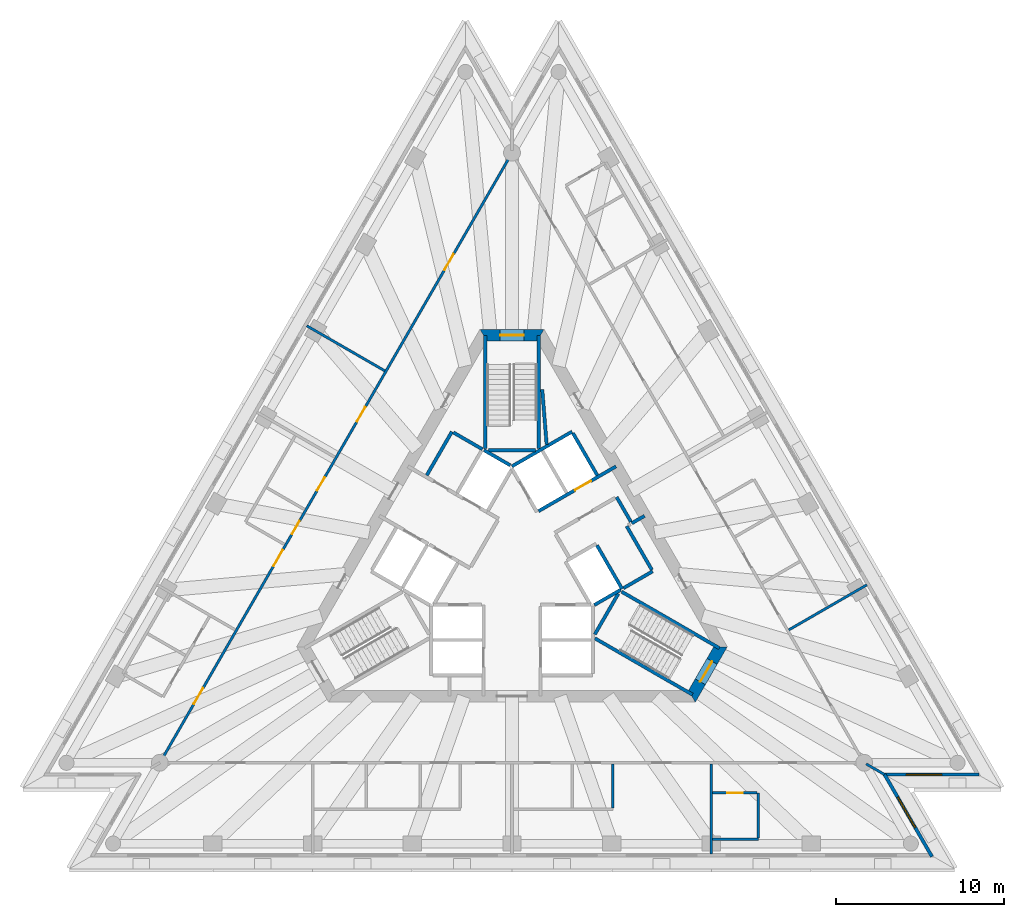
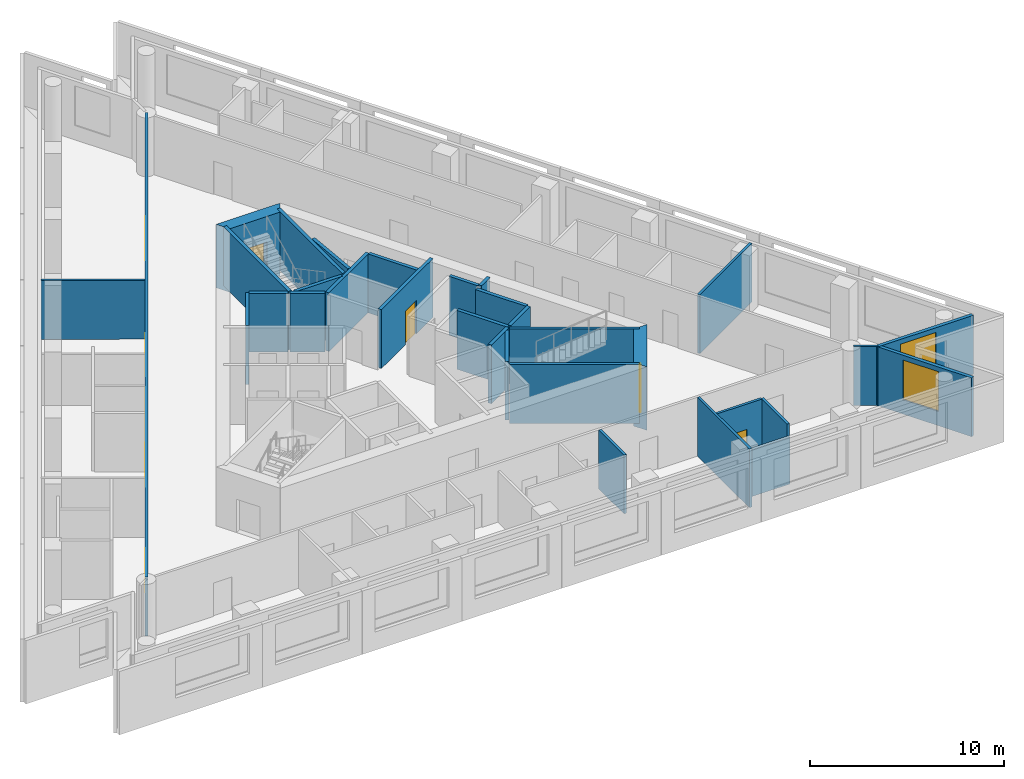
# One storey, part 5 of 9: 32 walls, 10 doors, 2 windows, 12 openings.
"""IFC4 building model written with IfcOpenShell, lengths in metres."""

import ifcopenshell
import ifcopenshell.guid

model = None  # the IFC model being written
_history = None  # IfcOwnerHistory: only IFC2X3 demands one
_inside = {}  # id of a spatial element -> (the spatial element, [elements in it])
_under = {}  # id of a project, library or spatial element -> (it, [spatial elements below it])
_declared = {}  # id of a project -> (the project, [libraries it declares])
_typed = {}  # id of a type object -> (the type object, [elements of that type])
_made_of = {}  # id of a material, layer set ... -> (it, [elements and type objects made of it])


def new_model(schema):
    """Start an empty IFC model of exactly this schema.

    Asked for "IFC4X3", IfcOpenShell would pick the latest addendum, in which some entities
    have other attributes; the version numbers below select the first issue.
    IFC2X3 requires an IfcOwnerHistory on every rooted entity: one is made here for all.
    """
    global model, _history
    if schema == "IFC4X3":
        model = ifcopenshell.file(schema_version=(4, 3, 0, 0))
    else:
        model = ifcopenshell.file(schema=schema)
    _inside.clear()
    _under.clear()
    _declared.clear()
    _typed.clear()
    _made_of.clear()
    _history = None
    if model.schema == "IFC2X3":
        org = make("IfcOrganization", Name="unknown")
        user = make(
            "IfcPersonAndOrganization",
            ThePerson=make("IfcPerson", FamilyName="unknown"),
            TheOrganization=org,
        )
        app = make(
            "IfcApplication",
            ApplicationDeveloper=org,
            Version="unknown",
            ApplicationFullName="unknown",
            ApplicationIdentifier="unknown",
        )
        _history = make(
            "IfcOwnerHistory",
            OwningUser=user,
            OwningApplication=app,
            ChangeAction="ADDED",
            CreationDate=0,
        )
    return model


def make(cls, **values):
    """One entity of the class cls with the attributes given. An attribute that is None is left unset."""
    return model.create_entity(
        cls, **{name: value for name, value in values.items() if value is not None}
    )


def rooted(cls, **values):
    """An entity with a GlobalId (a new one), such as an element, a storey or a relation."""
    return make(cls, GlobalId=ifcopenshell.guid.new(), OwnerHistory=_history, **values)


def si_unit(unit_type, name, prefix=None):
    """IfcSIUnit, for example si_unit("LENGTHUNIT", "METRE", prefix="MILLI")."""
    return make("IfcSIUnit", UnitType=unit_type, Prefix=prefix, Name=name)


def assignment(units):
    """IfcUnitAssignment: the units of a project."""
    return None if units is None else make("IfcUnitAssignment", Units=units)


def point(xyz):
    """IfcCartesianPoint."""
    return None if xyz is None else make("IfcCartesianPoint", Coordinates=xyz)


def direction(xyz):
    """IfcDirection."""
    return None if xyz is None else make("IfcDirection", DirectionRatios=xyz)


def frame(location, z_axis=None, x_axis=None):
    """IfcAxis2Placement3D, a coordinate frame: its origin and axes. An axis left out is left unset."""
    return make(
        "IfcAxis2Placement3D",
        Location=point(location),
        Axis=direction(z_axis),
        RefDirection=direction(x_axis),
    )


def frame_2d(location, x_axis=None):
    """IfcAxis2Placement2D, a coordinate frame in the plane: its origin and x axis."""
    return make(
        "IfcAxis2Placement2D", Location=point(location), RefDirection=direction(x_axis)
    )


def origin():
    """The frame at (0, 0, 0) with its axes left unset."""
    return frame((0.0, 0.0, 0.0))


def place(relative_to, where):
    """IfcLocalPlacement: puts the frame where relative to a parent placement (None: the world)."""
    return make(
        "IfcLocalPlacement", PlacementRelTo=relative_to, RelativePlacement=where
    )


def context(
    kind, dimensions, precision=None, world=None, true_north=None, identifier=None
):
    """IfcGeometricRepresentationContext, for example the 3D "Model" context."""
    return make(
        "IfcGeometricRepresentationContext",
        ContextIdentifier=identifier,
        ContextType=kind,
        CoordinateSpaceDimension=dimensions,
        Precision=precision,
        WorldCoordinateSystem=world,
        TrueNorth=true_north,
    )


def subcontext(parent, identifier, kind, view, scale=None):
    """IfcGeometricRepresentationSubContext, for example "Body" below "Model"."""
    return make(
        "IfcGeometricRepresentationSubContext",
        ContextIdentifier=identifier,
        ContextType=kind,
        ParentContext=parent,
        TargetScale=scale,
        TargetView=view,
    )


def project(units=None, contexts=None):
    """IfcProject with its units and contexts."""
    return rooted(
        "IfcProject",
        Name="project",
        RepresentationContexts=contexts,
        UnitsInContext=assignment(units),
    )


def spatial(cls, under=None, at=None, **own):
    """A site, building, storey or space (cls), placed at a placement, below another one or the project."""
    s = rooted(cls, ObjectPlacement=at, **own)
    if under is not None:
        _under.setdefault(under.id(), (under, []))[1].append(s)
    return s


def polyline(points):
    """IfcPolyline through the points."""
    return make("IfcPolyline", Points=[point(p) for p in points])


def profile(cls, at=None, kind="AREA", **sizes):
    """A parametric profile (cls). Its sizes go by their IFC names, for example OverallWidth=200.0."""
    return make(cls, ProfileType=kind, Position=at, **sizes)


def rectangle(**sizes):
    """IfcRectangleProfileDef."""
    return profile("IfcRectangleProfileDef", **sizes)


def outline(outer, holes=None, kind="AREA"):
    """IfcArbitraryClosedProfileDef: a profile drawn as a closed curve; with holes, ...WithVoids."""
    if holes is None:
        return make("IfcArbitraryClosedProfileDef", ProfileType=kind, OuterCurve=outer)
    return make(
        "IfcArbitraryProfileDefWithVoids",
        ProfileType=kind,
        OuterCurve=outer,
        InnerCurves=holes,
    )


def extrude(swept, where, along, depth):
    """IfcExtrudedAreaSolid: the profile swept, set in the frame where, extruded along a direction by depth."""
    return make(
        "IfcExtrudedAreaSolid",
        SweptArea=swept,
        Position=where,
        ExtrudedDirection=direction(along),
        Depth=depth,
    )


def shape(context_of_items, identifier, shape_type, items):
    """IfcShapeRepresentation: the items that make up one representation, for example the "Body"."""
    return make(
        "IfcShapeRepresentation",
        ContextOfItems=context_of_items,
        RepresentationIdentifier=identifier,
        RepresentationType=shape_type,
        Items=items,
    )


def material(Name=None, Category=None):
    """IfcMaterial."""
    return make("IfcMaterial", Name=Name, Category=Category)


def layer(
    of_material, thickness, ventilated=None, Name=None, Category=None, Priority=None
):
    """IfcMaterialLayer: one layer of a wall or slab, of a material (None: an air gap)."""
    return make(
        "IfcMaterialLayer",
        Material=of_material,
        LayerThickness=thickness,
        IsVentilated=ventilated,
        Name=Name,
        Category=Category,
        Priority=Priority,
    )


def layer_set(layers, Name=None):
    """IfcMaterialLayerSet."""
    return make("IfcMaterialLayerSet", MaterialLayers=layers, LayerSetName=Name)


def layer_usage(for_layer_set, set_direction, sense, offset, extent=None):
    """IfcMaterialLayerSetUsage: how a layer set lies in its element."""
    return make(
        "IfcMaterialLayerSetUsage",
        ForLayerSet=for_layer_set,
        LayerSetDirection=set_direction,
        DirectionSense=sense,
        OffsetFromReferenceLine=offset,
        ReferenceExtent=extent,
    )


def made_of(thing, what):
    """Note that an element or type object is made of a material, layer set ...; save() writes the relation."""
    if what is not None:
        _made_of.setdefault(what.id(), (what, []))[1].append(thing)
    return thing


def type_object(cls, material=None, **own):
    """A type object (cls), such as IfcWallType, which elements share."""
    return made_of(rooted(cls, **own), material)


def element(
    cls,
    number,
    at=None,
    inside=None,
    cuts=None,
    type_object=None,
    material=None,
    context=None,
    identifier="Body",
    shape_type=None,
    held_by="IfcProductDefinitionShape",
    body=None,
    shapes=None,
    **own,
):
    """One element of the class cls, such as IfcWall. Its Tag is "e" and its number.

    at: its placement. inside: the storey or other place that contains it. cuts: it is an
    opening in that element (IfcRelVoidsElement). A single representation is given by context,
    identifier, shape_type and body (its items); several are given by shapes. held_by: the class
    of the entity that holds the representations. save() writes the other relations.
    """
    e = rooted(cls, Tag="e%d" % number, ObjectPlacement=at, **own)
    if body is not None:
        shapes = [shape(context, identifier, shape_type, body)]
    if shapes is not None:
        e.Representation = make(held_by, Representations=shapes)
    if inside is not None:
        _inside.setdefault(inside.id(), (inside, []))[1].append(e)
    if cuts is not None:
        rooted(
            "IfcRelVoidsElement", RelatingBuildingElement=cuts, RelatedOpeningElement=e
        )
    if type_object is not None:
        _typed.setdefault(type_object.id(), (type_object, []))[1].append(e)
    return made_of(e, material)


def fill(opening, filler):
    """IfcRelFillsElement: the door or window that sits in an opening."""
    return rooted(
        "IfcRelFillsElement",
        RelatingOpeningElement=opening,
        RelatedBuildingElement=filler,
    )


def aggregate(whole, parts):
    """IfcRelAggregates: a whole, such as a stair, and the parts it consists of."""
    return rooted("IfcRelAggregates", RelatingObject=whole, RelatedObjects=parts)


def save(model, path):
    """Write the relations noted so far, then the file.

    IfcRelAggregates (storeys below a building ...), IfcRelContainedInSpatialStructure (elements
    in a storey), IfcRelDefinesByType, IfcRelAssociatesMaterial and IfcRelDeclares: one each for
    every whole, place, type object, material and project.
    """
    for whole, parts in _under.values():
        aggregate(whole, parts)
    for where, things in _inside.values():
        rooted(
            "IfcRelContainedInSpatialStructure",
            RelatedElements=things,
            RelatingStructure=where,
        )
    for kind, things in _typed.values():
        rooted("IfcRelDefinesByType", RelatedObjects=things, RelatingType=kind)
    for what, things in _made_of.values():
        rooted("IfcRelAssociatesMaterial", RelatedObjects=things, RelatingMaterial=what)
    for by, libraries in _declared.values():
        rooted("IfcRelDeclares", RelatingContext=by, RelatedDefinitions=libraries)
    model.write(path)


model = new_model("IFC4")

# Units and contexts
model_context = context("Model", 3, precision=1e-05, world=origin(), true_north=direction((0.0, 1.0)))
body_context = subcontext(model_context, "Body", "Model", "MODEL_VIEW")
ifc_project = project(units=[si_unit("LENGTHUNIT", "METRE"), si_unit("AREAUNIT", "SQUARE_METRE"), si_unit("VOLUMEUNIT", "CUBIC_METRE"), si_unit("PLANEANGLEUNIT", "RADIAN"), si_unit("MASSUNIT", "GRAM", prefix="KILO")], contexts=[model_context])

# Site, building, storey
site_placement = place(None, origin())
site = spatial("IfcSite", under=ifc_project, at=site_placement, CompositionType="ELEMENT")
building_placement = place(site_placement, origin())
building = spatial("IfcBuilding", under=site, at=building_placement, Name="Triada Interchange Tower", CompositionType="ELEMENT")
storey_placement = place(building_placement, frame((0.0, 0.0, 231.300048828125)))
storey = spatial("IfcBuildingStorey", under=building, at=storey_placement, Name="L54", CompositionType="ELEMENT", Elevation=231.300048828125)

# Wall
ifc_material_1 = material(Name="Concrete C30/37", Category="concrete")
ifc_layer_1 = layer(ifc_material_1, 0.199951171875)
ifc_layer_set_1 = layer_set([ifc_layer_1], Name="CORE WALL 200 EI 120")
wall_type_1 = type_object("IfcWallType", Name="CORE WALL 200 EI 120", PredefinedType="SOLIDWALL", material=ifc_layer_set_1)
wall_1_placement = place(storey_placement, frame((-0.001953125, 5.541015625, 0.0), z_axis=(0.0, 0.0, 1.0), x_axis=(0.86600155993, 0.500041296494, 0.0)))
element("IfcWall", 1, at=wall_1_placement, inside=storey, type_object=wall_type_1, Name="Wall L53 52", PredefinedType="SOLIDWALL", context=body_context, shape_type="SweptSolid", body=[
    extrude(rectangle(XDim=4.131591796875, YDim=0.199951171875, at=frame_2d((2.06591796875, 0.0))), origin(), (0.0, 0.0, 1.0), 3.699951171875),
])

# Wall, opening, door
wall_2_placement = place(storey_placement, frame((1.577880859375, 2.8740234375, 0.0), z_axis=(0.0, 0.0, 1.0), x_axis=(0.866045911672, 0.499964477614, 0.0)))
wall_2 = element("IfcWall", 2, at=wall_2_placement, inside=storey, type_object=wall_type_1, Name="Wall L53 55", PredefinedType="SOLIDWALL", context=body_context, shape_type="SweptSolid", body=[
    extrude(rectangle(XDim=5.32666015625, YDim=0.199951171875, at=frame_2d((2.663330078125, 0.0))), origin(), (0.0, 0.0, 1.0), 3.699951171875),
])
opening_1_placement = place(wall_2_placement, frame((2.49609375, 0.0, 0.0)))
opening_1 = element("IfcOpeningElement", 3, at=opening_1_placement, cuts=wall_2, Name="Opening LD-HR6", PredefinedType="OPENING", context=body_context, shape_type="SweptSolid", body=[
    extrude(rectangle(XDim=1.10009765625, YDim=2.10009765625, at=frame_2d((0.550048828125, 1.050048828125))), frame((0.0, 0.10986328125, 0.0), z_axis=(0.0, -1.0, 0.0), x_axis=(1.0, 0.0, 0.0)), (0.0, 0.0, 1.0), 0.219970703125),
])
ifc_material_2 = material(Name="Steel S235 door leaf", Category="steel")
door_type_1 = type_object("IfcDoorType", Name="LIFT LANDING DOOR 1100 EI 120", OperationType="SLIDING_TO_LEFT", PredefinedType="DOOR", material=ifc_material_2)
door_1_placement = place(opening_1_placement, origin())
door_1 = element("IfcDoor", 4, at=door_1_placement, inside=storey, type_object=door_type_1, Name="HR6 landing door L54", OperationType="SLIDING_TO_LEFT", OverallHeight=2.10009765625, OverallWidth=1.10009765625, PredefinedType="DOOR", context=body_context, shape_type="SweptSolid", body=[
    extrude(rectangle(XDim=1.10009765625, YDim=2.10009765625, at=frame_2d((0.550048828125, 1.050048828125))), frame((0.0, 0.02490234375, 0.0), z_axis=(0.0, -1.0, 0.0), x_axis=(1.0, 0.0, 0.0)), (0.0, 0.0, 1.0), 0.050048828125),
])
fill(opening_1, door_1)

# Walls
wall_3_placement = place(storey_placement, frame((7.12890625, 2.153076171875, 0.0), z_axis=(0.0, 0.0, 1.0), x_axis=(0.866083962871, 0.499898558967, 0.0)))
element("IfcWall", 5, at=wall_3_placement, inside=storey, type_object=wall_type_1, Name="Wall L53 59", PredefinedType="SOLIDWALL", context=body_context, shape_type="SweptSolid", body=[
    extrude(rectangle(XDim=0.880126953125, YDim=0.199951171875, at=frame_2d((0.43994140625, 0.0))), origin(), (0.0, 0.0, 1.0), 3.699951171875),
])
wall_4_placement = place(storey_placement, frame((3.6259765625, 7.52001953125, 0.0), z_axis=(0.0, 0.0, 1.0), x_axis=(0.500060147554, -0.865990674793, 0.0)))
element("IfcWall", 6, at=wall_4_placement, inside=storey, type_object=wall_type_1, Name="Wall L53 60", PredefinedType="SOLIDWALL", context=body_context, shape_type="SweptSolid", body=[
    extrude(rectangle(XDim=2.899658203125, YDim=0.199951171875, at=frame_2d((1.44970703125, 0.0))), origin(), (0.0, 0.0, 1.0), 3.699951171875),
])
wall_5_placement = place(storey_placement, frame((5.056884765625, 0.841064453125, 0.0), z_axis=(0.0, 0.0, 1.0), x_axis=(0.499990139034, -0.866031096941, 0.0)))
element("IfcWall", 7, at=wall_5_placement, inside=storey, type_object=wall_type_1, Name="Wall L53 62", PredefinedType="SOLIDWALL", context=body_context, shape_type="SweptSolid", body=[
    extrude(rectangle(XDim=3.0, YDim=0.199951171875, at=frame_2d((1.5, 0.0))), origin(), (0.0, 0.0, 1.0), 3.699951171875),
])
wall_6_placement = place(storey_placement, frame((4.89990234375, -2.714111328125, 0.0), z_axis=(0.0, 0.0, 1.0), x_axis=(0.865846928409, 0.500309001083, 0.0)))
element("IfcWall", 8, at=wall_6_placement, inside=storey, type_object=wall_type_1, Name="Wall L53 63", PredefinedType="SOLIDWALL", context=body_context, shape_type="SweptSolid", body=[
    extrude(rectangle(XDim=1.813232421875, YDim=0.199951171875, at=frame_2d((0.90673828125, 0.0))), origin(), (0.0, 0.0, 1.0), 3.699951171875),
])
wall_7_placement = place(storey_placement, frame((6.22900390625, 3.7119140625, 0.0), z_axis=(0.0, 0.0, 1.0), x_axis=(0.499875724984, -0.86609714211, 0.0)))
element("IfcWall", 9, at=wall_7_placement, inside=storey, type_object=wall_type_1, Name="Wall L53 64", PredefinedType="SOLIDWALL", context=body_context, shape_type="SweptSolid", body=[
    extrude(rectangle(XDim=1.70068359375, YDim=0.199951171875, at=frame_2d((0.850341796875, 0.0))), origin(), (0.0, 0.0, 1.0), 3.699951171875),
])
ifc_layer_2 = layer(ifc_material_1, 0.199951171875)
ifc_layer_set_2 = layer_set([ifc_layer_2], Name="CORE WALL 200 EI 180")
wall_type_2 = type_object("IfcWallType", Name="CORE WALL 200 EI 180", PredefinedType="SOLIDWALL", material=ifc_layer_set_2)
wall_8_placement = place(storey_placement, frame((-5.075927734375, 5.009033203125, 0.0), z_axis=(0.0, 0.0, 1.0), x_axis=(0.50002537861, 0.866010750942, 0.0)))
element("IfcWall", 10, at=wall_8_placement, inside=storey, type_object=wall_type_2, Name="Wall L53 71", PredefinedType="SOLIDWALL", context=body_context, shape_type="SweptSolid", body=[
    extrude(rectangle(XDim=2.999755859375, YDim=0.199951171875, at=frame_2d((1.5, 0.0))), origin(), (0.0, 0.0, 1.0), 3.699951171875),
])
wall_9_placement = place(storey_placement, frame((-3.489013671875, 7.556884765625, 0.0), z_axis=(0.0, 0.0, 1.0), x_axis=(0.866010750942, -0.50002537861, 0.0)))
element("IfcWall", 11, at=wall_9_placement, inside=storey, type_object=wall_type_2, Name="Wall L53 72", PredefinedType="SOLIDWALL", context=body_context, shape_type="SweptSolid", body=[
    extrude(rectangle(XDim=2.0, YDim=0.199951171875, at=frame_2d((1.0, 0.0))), origin(), (0.0, 0.0, 1.0), 3.699951171875),
])
wall_10_placement = place(storey_placement, frame((-1.669921875, 6.507080078125, 0.0), z_axis=(0.0, 0.0, 1.0), x_axis=(0.865941441609, -0.500145398563, 0.0)))
element("IfcWall", 12, at=wall_10_placement, inside=storey, type_object=wall_type_2, Name="Shaft wall FF2 L53 80", PredefinedType="SOLIDWALL", context=body_context, shape_type="SweptSolid", body=[
    extrude(rectangle(XDim=1.8154296875, YDim=0.199951171875, at=frame_2d((0.90771484375, 0.0))), origin(), (0.0, 0.0, 1.0), 3.699951171875),
])
ifc_layer_3 = layer(ifc_material_1, 0.199951171875)
ifc_layer_set_3 = layer_set([ifc_layer_3], Name="CORE WALL 200 EI 90")
wall_type_3 = type_object("IfcWallType", Name="CORE WALL 200 EI 90", PredefinedType="SOLIDWALL", material=ifc_layer_set_3)
wall_11_placement = place(storey_placement, frame((1.800048828125, 10.115966796875, 0.0), z_axis=(0.0, 0.0, 1.0), x_axis=(0.079902085418, -0.996802717064, 0.0)))
element("IfcWall", 13, at=wall_11_placement, inside=storey, type_object=wall_type_3, Name="Wall L53 83", PredefinedType="SOLIDWALL", context=body_context, shape_type="SweptSolid", body=[
    extrude(rectangle(XDim=3.278564453125, YDim=0.199951171875, at=frame_2d((1.63916015625, 0.0))), origin(), (0.0, 0.0, 1.0), 3.699951171875),
])
wall_12_placement = place(storey_placement, frame((6.64208984375, -1.7080078125, 0.0), z_axis=(0.0, 0.0, 1.0), x_axis=(0.866043441391, 0.499968756647, 0.0)))
element("IfcWall", 14, at=wall_12_placement, inside=storey, type_object=wall_type_3, Name="Wall L53 84", PredefinedType="SOLIDWALL", context=body_context, shape_type="SweptSolid", body=[
    extrude(rectangle(XDim=2.002197265625, YDim=0.199951171875, at=frame_2d((1.0009765625, 0.0))), origin(), (0.0, 0.0, 1.0), 3.699951171875),
])
wall_13_placement = place(storey_placement, frame((6.825927734375, 1.97802734375, 0.0), z_axis=(0.0, 0.0, 1.0), x_axis=(0.499990139034, -0.866031096941, 0.0)))
element("IfcWall", 15, at=wall_13_placement, inside=storey, type_object=wall_type_3, Name="Wall L53 85", PredefinedType="SOLIDWALL", context=body_context, shape_type="SweptSolid", body=[
    extrude(rectangle(XDim=3.0, YDim=0.199951171875, at=frame_2d((1.5, 0.0))), origin(), (0.0, 0.0, 1.0), 3.699951171875),
])
ifc_layer_4 = layer(ifc_material_1, 0.199951171875)
ifc_layer_set_4 = layer_set([ifc_layer_4], Name="CORE WALL 200 REI 240")
wall_type_4 = type_object("IfcWallType", Name="CORE WALL 200 REI 240", PredefinedType="SOLIDWALL", material=ifc_layer_set_4)
wall_14_placement = place(storey_placement, frame((1.60009765625, 6.614990234375, 0.0), z_axis=(0.0, 0.0, 1.0), x_axis=(0.0, 1.0, 0.0)))
element("IfcWall", 16, at=wall_14_placement, inside=storey, type_object=wall_type_4, Name="Wall L53 90", PredefinedType="SOLIDWALL", context=body_context, shape_type="SweptSolid", body=[
    extrude(rectangle(XDim=6.715087890625, YDim=0.199951171875, at=frame_2d((3.357421875, 0.0))), origin(), (0.0, 0.0, 1.0), 3.699951171875),
])
wall_15_placement = place(storey_placement, frame((-1.39990234375, 6.5, 0.0), z_axis=(0.0, 0.0, 1.0), x_axis=(1.0, 0.0, 0.0)))
element("IfcWall", 17, at=wall_15_placement, inside=storey, type_object=wall_type_4, Name="Wall L53 91", PredefinedType="SOLIDWALL", context=body_context, shape_type="SweptSolid", body=[
    extrude(rectangle(XDim=2.7998046875, YDim=0.199951171875, at=frame_2d((1.39990234375, 0.0))), origin(), (0.0, 0.0, 1.0), 3.699951171875),
])
wall_16_placement = place(storey_placement, frame((-1.60009765625, 6.614990234375, 0.0), z_axis=(0.0, 0.0, 1.0), x_axis=(0.0, 1.0, 0.0)))
element("IfcWall", 18, at=wall_16_placement, inside=storey, type_object=wall_type_4, Name="Wall L53 92", PredefinedType="SOLIDWALL", context=body_context, shape_type="SweptSolid", body=[
    extrude(rectangle(XDim=6.715087890625, YDim=0.199951171875, at=frame_2d((3.357421875, 0.0))), origin(), (0.0, 0.0, 1.0), 3.699951171875),
])
wall_17_placement = place(storey_placement, frame((4.928955078125, -4.693115234375, 0.0), z_axis=(0.0, 0.0, 1.0), x_axis=(0.865983344943, -0.500072840975, 0.0)))
element("IfcWall", 19, at=wall_17_placement, inside=storey, type_object=wall_type_4, Name="Wall L53 93", PredefinedType="SOLIDWALL", context=body_context, shape_type="SweptSolid", body=[
    extrude(rectangle(XDim=6.71484375, YDim=0.199951171875, at=frame_2d((3.357421875, 0.0))), origin(), (0.0, 0.0, 1.0), 3.699951171875),
])
wall_18_placement = place(storey_placement, frame((4.928955078125, -4.4619140625, 0.0), z_axis=(0.0, 0.0, 1.0), x_axis=(0.500200581029, 0.865909567298, 0.0)))
element("IfcWall", 20, at=wall_18_placement, inside=storey, type_object=wall_type_4, Name="Wall L53 94", PredefinedType="SOLIDWALL", context=body_context, shape_type="SweptSolid", body=[
    extrude(rectangle(XDim=2.799072265625, YDim=0.199951171875, at=frame_2d((1.3994140625, 0.0))), origin(), (0.0, 0.0, 1.0), 3.699951171875),
])
wall_19_placement = place(storey_placement, frame((6.529052734375, -1.922119140625, 0.0), z_axis=(0.0, 0.0, 1.0), x_axis=(0.866046323291, -0.499963764601, 0.0)))
element("IfcWall", 21, at=wall_19_placement, inside=storey, type_object=wall_type_4, Name="Wall L53 95", PredefinedType="SOLIDWALL", context=body_context, shape_type="SweptSolid", body=[
    extrude(rectangle(XDim=6.71435546875, YDim=0.199951171875, at=frame_2d((3.357177734375, 0.0))), origin(), (0.0, 0.0, 1.0), 3.699951171875),
])

# Wall, opening, door
ifc_material_3 = material(Name="Concrete C50/60", Category="concrete")
ifc_layer_5 = layer(ifc_material_3, 0.699951171875)
ifc_layer_set_5 = layer_set([ifc_layer_5], Name="Core wall C 700")
wall_type_5 = type_object("IfcWallType", Name="Core wall C 700", PredefinedType="SHEAR", material=ifc_layer_set_5)
wall_20_placement = place(storey_placement, frame((1.702880859375, 13.35009765625, -0.300048828125), z_axis=(0.0, 0.0, 1.0), x_axis=(-1.0, 0.0, 0.0)))
wall_20 = element("IfcWall", 22, at=wall_20_placement, inside=storey, type_object=wall_type_5, Name="Core wall WC01 L54", PredefinedType="SHEAR", context=body_context, shape_type="SweptSolid", body=[
    extrude(outline(polyline([(-0.201904296875, -0.35009765625), (1.703125, -0.35009765625), (3.60791015625, -0.35009765625), (3.2041015625, 0.35009765625), (1.703125, 0.35009765625), (0.201904296875, 0.35009765625), (-0.201904296875, -0.35009765625)])), origin(), (0.0, 0.0, 1.0), 4.0),
])
opening_2_placement = place(wall_20_placement, frame((1.0029296875, 0.0, 0.300048828125)))
opening_2 = element("IfcOpeningElement", 23, at=opening_2_placement, cuts=wall_20, Name="Opening D53-40", PredefinedType="OPENING", context=body_context, shape_type="SweptSolid", body=[
    extrude(rectangle(XDim=1.39990234375, YDim=2.10009765625, at=frame_2d((0.699951171875, 1.050048828125))), frame((0.0, 0.360107421875, 0.0), z_axis=(0.0, -1.0, 0.0), x_axis=(1.0, 0.0, 0.0)), (0.0, 0.0, 1.0), 0.72021484375),
])
door_type_2 = type_object("IfcDoorType", Name="STAIR DOOR 1400 EI2 90-C5S200", OperationType="DOUBLE_DOOR_SINGLE_SWING", PredefinedType="DOOR", material=ifc_material_2)
door_2_placement = place(opening_2_placement, origin())
door_2 = element("IfcDoor", 24, at=door_2_placement, inside=storey, type_object=door_type_2, Name="Door D53-40 L54", OperationType="DOUBLE_DOOR_SINGLE_SWING", OverallHeight=2.10009765625, OverallWidth=1.39990234375, PredefinedType="DOOR", context=body_context, shape_type="SweptSolid", body=[
    extrude(rectangle(XDim=1.39990234375, YDim=2.10009765625, at=frame_2d((0.699951171875, 1.050048828125))), frame((0.0, 0.02490234375, 0.0), z_axis=(0.0, -1.0, 0.0), x_axis=(1.0, 0.0, 0.0)), (0.0, 0.0, 1.0), 0.050048828125),
])
fill(opening_2, door_2)

wall_21_placement = place(storey_placement, frame((10.7099609375, -8.14990234375, -0.300048828125), z_axis=(0.0, 0.0, 1.0), x_axis=(0.49999337185, 0.866029230515, 0.0)))
wall_21 = element("IfcWall", 25, at=wall_21_placement, inside=storey, type_object=wall_type_5, Name="Core wall WC05 L54", PredefinedType="SHEAR", context=body_context, shape_type="SweptSolid", body=[
    extrude(outline(polyline([(-0.201904296875, -0.35009765625), (1.703125, -0.35009765625), (3.60791015625, -0.35009765625), (3.2041015625, 0.35009765625), (1.703125, 0.35009765625), (0.201904296875, 0.35009765625), (-0.201904296875, -0.35009765625)])), origin(), (0.0, 0.0, 1.0), 4.0),
])
opening_3_placement = place(wall_21_placement, frame((1.0029296875, 0.0, 0.300048828125)))
opening_3 = element("IfcOpeningElement", 26, at=opening_3_placement, cuts=wall_21, Name="Opening D53-42", PredefinedType="OPENING", context=body_context, shape_type="SweptSolid", body=[
    extrude(rectangle(XDim=1.39990234375, YDim=2.10009765625, at=frame_2d((0.699951171875, 1.050048828125))), frame((0.0, 0.360107421875, 0.0), z_axis=(0.0, -1.0, 0.0), x_axis=(1.0, 0.0, 0.0)), (0.0, 0.0, 1.0), 0.72021484375),
])
door_3_placement = place(opening_3_placement, origin())
door_3 = element("IfcDoor", 27, at=door_3_placement, inside=storey, type_object=door_type_2, Name="Door D53-42 L54", OperationType="DOUBLE_DOOR_SINGLE_SWING", OverallHeight=2.10009765625, OverallWidth=1.39990234375, PredefinedType="DOOR", context=body_context, shape_type="SweptSolid", body=[
    extrude(rectangle(XDim=1.39990234375, YDim=2.10009765625, at=frame_2d((0.699951171875, 1.050048828125))), frame((0.0, 0.02490234375, 0.0), z_axis=(0.0, -1.0, 0.0), x_axis=(1.0, 0.0, 0.0)), (0.0, 0.0, 1.0), 0.050048828125),
])
fill(opening_3, door_3)

# Wall, opening, window
ifc_material_4 = material(Name="Cement board")
ifc_layer_6 = layer(ifc_material_4, 0.02001953125, Name="Cement board cladding")
ifc_material_5 = material(Name="Sheathing board")
ifc_layer_7 = layer(ifc_material_5, 0.014892578125, Name="Sheathing board")
ifc_material_6 = material(Name="Mineral wool")
ifc_layer_8 = layer(ifc_material_6, 0.14990234375, Name="Mineral wool between steel studs")
ifc_material_7 = material(Name="Gypsum board")
ifc_layer_9 = layer(ifc_material_7, 0.014892578125, Name="Plasterboard lining")
ifc_layer_set_6 = layer_set([ifc_layer_6, ifc_layer_7, ifc_layer_8, ifc_layer_9], Name="External wall 200")
ifc_layer_usage = layer_usage(ifc_layer_set_6, "AXIS2", "POSITIVE", -0.10009765625)
wall_type_6 = type_object("IfcWallType", Name="External wall 200", PredefinedType="ELEMENTEDWALL", material=ifc_layer_set_6)
wall_22_placement = place(storey_placement, frame((25.00390625, -17.695068359375, 0.0), z_axis=(0.0, 0.0, 1.0), x_axis=(-0.49987899677, 0.866095253761, 0.0)))
wall_22 = element("IfcWall", 28, at=wall_22_placement, inside=storey, type_object=wall_type_6, material=ifc_layer_usage, Name="External wall L54 SE-1", PredefinedType="ELEMENTEDWALL", context=body_context, shape_type="SweptSolid", body=[
    extrude(rectangle(XDim=5.71533203125, YDim=0.199951171875, at=frame_2d((2.857666015625, 0.0))), origin(), (0.0, 0.0, 1.0), 3.699951171875),
])
opening_4_placement = place(wall_22_placement, frame((1.989990234375, 0.0, 0.89990234375)))
opening_4 = element("IfcOpeningElement", 29, at=opening_4_placement, cuts=wall_22, Name="Opening WC19", PredefinedType="OPENING", context=body_context, shape_type="SweptSolid", body=[
    extrude(rectangle(XDim=2.10009765625, YDim=2.5, at=frame_2d((1.050048828125, 1.25))), frame((0.0, 0.10986328125, 0.0), z_axis=(0.0, -1.0, 0.0), x_axis=(1.0, 0.0, 0.0)), (0.0, 0.0, 1.0), 0.219970703125),
])
ifc_material_8 = material(Name="Double glazed aluminium window", Category="aluminium")
window_type = type_object("IfcWindowType", Name="Ribbon window C pocket", PartitioningType="SINGLE_PANEL", PredefinedType="WINDOW", material=ifc_material_8)
window_1_placement = place(opening_4_placement, origin())
window_1 = element("IfcWindow", 30, at=window_1_placement, inside=storey, type_object=window_type, Name="Window L54 SE-1 1", OverallHeight=2.5, OverallWidth=2.10009765625, PartitioningType="SINGLE_PANEL", PredefinedType="WINDOW", context=body_context, shape_type="SweptSolid", body=[
    extrude(rectangle(XDim=2.10009765625, YDim=2.5, at=frame_2d((1.050048828125, 1.25))), frame((0.0, 0.030029296875, 0.0), z_axis=(0.0, -1.0, 0.0), x_axis=(1.0, 0.0, 0.0)), (0.0, 0.0, 1.0), 0.06005859375),
])
fill(opening_4, window_1)

wall_23_placement = place(storey_placement, frame((22.092041015625, -12.805908203125, 0.0), z_axis=(0.0, 0.0, 1.0), x_axis=(1.0, 0.0, 0.0)))
wall_23 = element("IfcWall", 31, at=wall_23_placement, inside=storey, type_object=wall_type_6, material=ifc_layer_usage, Name="External wall L54 SE-2", PredefinedType="ELEMENTEDWALL", context=body_context, shape_type="SweptSolid", body=[
    extrude(rectangle(XDim=5.71484375, YDim=0.199951171875, at=frame_2d((2.857421875, 0.0))), origin(), (0.0, 0.0, 1.0), 3.699951171875),
])
opening_5_placement = place(wall_23_placement, frame((1.389892578125, 0.0, 0.89990234375)))
opening_5 = element("IfcOpeningElement", 32, at=opening_5_placement, cuts=wall_23, Name="Opening WC20", PredefinedType="OPENING", context=body_context, shape_type="SweptSolid", body=[
    extrude(rectangle(XDim=2.10009765625, YDim=2.5, at=frame_2d((1.050048828125, 1.25))), frame((0.0, 0.10986328125, 0.0), z_axis=(0.0, -1.0, 0.0), x_axis=(1.0, 0.0, 0.0)), (0.0, 0.0, 1.0), 0.219970703125),
])
window_2_placement = place(opening_5_placement, origin())
window_2 = element("IfcWindow", 33, at=window_2_placement, inside=storey, type_object=window_type, Name="Window L54 SE-2 1", OverallHeight=2.5, OverallWidth=2.10009765625, PartitioningType="SINGLE_PANEL", PredefinedType="WINDOW", context=body_context, shape_type="SweptSolid", body=[
    extrude(rectangle(XDim=2.10009765625, YDim=2.5, at=frame_2d((1.050048828125, 1.25))), frame((0.0, 0.030029296875, 0.0), z_axis=(0.0, -1.0, 0.0), x_axis=(1.0, 0.0, 0.0)), (0.0, 0.0, 1.0), 0.06005859375),
])
fill(opening_5, window_2)

# Wall, openings, doors
ifc_material_9 = material(Name="Gypsum board partition")
ifc_layer_10 = layer(ifc_material_9, 0.14990234375)
ifc_layer_set_7 = layer_set([ifc_layer_10], Name="PARTITION 150 EI 180")
wall_type_7 = type_object("IfcWallType", Name="PARTITION 150 EI 180", PredefinedType="PARTITIONING", material=ifc_layer_set_7)
wall_24_placement = place(storey_placement, frame((-20.882080078125, -11.968994140625, 0.0), z_axis=(0.0, 0.0, 1.0), x_axis=(0.499998738735, 0.866026131975, 0.0)))
wall_24 = element("IfcWall", 34, at=wall_24_placement, inside=storey, type_object=wall_type_7, Name="Wall L53 4", PredefinedType="PARTITIONING", context=body_context, shape_type="SweptSolid", body=[
    extrude(rectangle(XDim=41.76416015625, YDim=0.14990234375, at=frame_2d((20.882080078125, 0.0))), origin(), (0.0, 0.0, 1.0), 3.699951171875),
])
opening_6_placement = place(wall_24_placement, frame((33.714111328125, 0.0, 0.0)))
opening_6 = element("IfcOpeningElement", 35, at=opening_6_placement, cuts=wall_24, Name="Opening D53-31", PredefinedType="OPENING", context=body_context, shape_type="SweptSolid", body=[
    extrude(rectangle(XDim=1.10009765625, YDim=2.10009765625, at=frame_2d((0.550048828125, 1.050048828125))), frame((0.0, 0.0849609375, 0.0), z_axis=(0.0, -1.0, 0.0), x_axis=(1.0, 0.0, 0.0)), (0.0, 0.0, 1.0), 0.169921875),
])
opening_7_placement = place(wall_24_placement, frame((23.29296875, 0.0, 0.0)))
opening_7 = element("IfcOpeningElement", 36, at=opening_7_placement, cuts=wall_24, Name="Opening D53-32", PredefinedType="OPENING", context=body_context, shape_type="SweptSolid", body=[
    extrude(rectangle(XDim=1.0, YDim=2.10009765625, at=frame_2d((0.5, 1.050048828125))), frame((0.0, 0.0849609375, 0.0), z_axis=(0.0, -1.0, 0.0), x_axis=(1.0, 0.0, 0.0)), (0.0, 0.0, 1.0), 0.169921875),
])
opening_8_placement = place(wall_24_placement, frame((13.35595703125, 0.0, 0.0)))
opening_8 = element("IfcOpeningElement", 37, at=opening_8_placement, cuts=wall_24, Name="Opening D53-33", PredefinedType="OPENING", context=body_context, shape_type="SweptSolid", body=[
    extrude(rectangle(XDim=1.10009765625, YDim=2.10009765625, at=frame_2d((0.550048828125, 1.050048828125))), frame((0.0, 0.0849609375, 0.0), z_axis=(0.0, -1.0, 0.0), x_axis=(1.0, 0.0, 0.0)), (0.0, 0.0, 1.0), 0.169921875),
])
opening_9_placement = place(wall_24_placement, frame((18.555908203125, 0.0, 0.0)))
opening_9 = element("IfcOpeningElement", 38, at=opening_9_placement, cuts=wall_24, Name="Opening D53-34", PredefinedType="OPENING", context=body_context, shape_type="SweptSolid", body=[
    extrude(rectangle(XDim=0.89990234375, YDim=2.10009765625, at=frame_2d((0.449951171875, 1.050048828125))), frame((0.0, 0.0849609375, 0.0), z_axis=(0.0, -1.0, 0.0), x_axis=(1.0, 0.0, 0.0)), (0.0, 0.0, 1.0), 0.169921875),
])
opening_10_placement = place(wall_24_placement, frame((15.555908203125, 0.0, 0.0)))
opening_10 = element("IfcOpeningElement", 39, at=opening_10_placement, cuts=wall_24, Name="Opening D53-35", PredefinedType="OPENING", context=body_context, shape_type="SweptSolid", body=[
    extrude(rectangle(XDim=0.89990234375, YDim=2.10009765625, at=frame_2d((0.449951171875, 1.050048828125))), frame((0.0, 0.0849609375, 0.0), z_axis=(0.0, -1.0, 0.0), x_axis=(1.0, 0.0, 0.0)), (0.0, 0.0, 1.0), 0.169921875),
])
opening_11_placement = place(wall_24_placement, frame((3.883056640625, 0.0, 0.0)))
opening_11 = element("IfcOpeningElement", 40, at=opening_11_placement, cuts=wall_24, Name="Opening D53-36", PredefinedType="OPENING", context=body_context, shape_type="SweptSolid", body=[
    extrude(rectangle(XDim=1.10009765625, YDim=2.10009765625, at=frame_2d((0.550048828125, 1.050048828125))), frame((0.0, 0.0849609375, 0.0), z_axis=(0.0, -1.0, 0.0), x_axis=(1.0, 0.0, 0.0)), (0.0, 0.0, 1.0), 0.169921875),
])
door_type_3 = type_object("IfcDoorType", Name="ROOM DOOR 1000 EI2 90-C5S200", OperationType="NOTDEFINED", PredefinedType="DOOR", material=ifc_material_2)
door_4_placement = place(opening_7_placement, origin())
door_4 = element("IfcDoor", 41, at=door_4_placement, inside=storey, type_object=door_type_3, Name="Door D53-32 L54", OperationType="SINGLE_SWING_LEFT", OverallHeight=2.10009765625, OverallWidth=1.0, PredefinedType="DOOR", context=body_context, shape_type="SweptSolid", body=[
    extrude(rectangle(XDim=1.0, YDim=2.10009765625, at=frame_2d((0.5, 1.050048828125))), frame((0.0, 0.02490234375, 0.0), z_axis=(0.0, -1.0, 0.0), x_axis=(1.0, 0.0, 0.0)), (0.0, 0.0, 1.0), 0.050048828125),
])
fill(opening_7, door_4)
door_type_4 = type_object("IfcDoorType", Name="ROOM DOOR 900 EI2 90-C5S200", OperationType="NOTDEFINED", PredefinedType="DOOR", material=ifc_material_2)
door_5_placement = place(opening_9_placement, origin())
door_5 = element("IfcDoor", 42, at=door_5_placement, inside=storey, type_object=door_type_4, Name="Door D53-34 L54", OperationType="SINGLE_SWING_LEFT", OverallHeight=2.10009765625, OverallWidth=0.89990234375, PredefinedType="DOOR", context=body_context, shape_type="SweptSolid", body=[
    extrude(rectangle(XDim=0.89990234375, YDim=2.10009765625, at=frame_2d((0.449951171875, 1.050048828125))), frame((0.0, 0.02490234375, 0.0), z_axis=(0.0, -1.0, 0.0), x_axis=(1.0, 0.0, 0.0)), (0.0, 0.0, 1.0), 0.050048828125),
])
fill(opening_9, door_5)
door_6_placement = place(opening_10_placement, origin())
door_6 = element("IfcDoor", 43, at=door_6_placement, inside=storey, type_object=door_type_4, Name="Door D53-35 L54", OperationType="SINGLE_SWING_RIGHT", OverallHeight=2.10009765625, OverallWidth=0.89990234375, PredefinedType="DOOR", context=body_context, shape_type="SweptSolid", body=[
    extrude(rectangle(XDim=0.89990234375, YDim=2.10009765625, at=frame_2d((0.449951171875, 1.050048828125))), frame((0.0, 0.02490234375, 0.0), z_axis=(0.0, -1.0, 0.0), x_axis=(1.0, 0.0, 0.0)), (0.0, 0.0, 1.0), 0.050048828125),
])
fill(opening_10, door_6)
door_type_5 = type_object("IfcDoorType", Name="TENANCY ENTRANCE DOOR 1100 EI2 90-C5S200", OperationType="NOTDEFINED", PredefinedType="DOOR", material=ifc_material_2)
door_7_placement = place(opening_6_placement, origin())
door_7 = element("IfcDoor", 44, at=door_7_placement, inside=storey, type_object=door_type_5, Name="Door D53-31 L54", OperationType="SINGLE_SWING_RIGHT", OverallHeight=2.10009765625, OverallWidth=1.10009765625, PredefinedType="DOOR", context=body_context, shape_type="SweptSolid", body=[
    extrude(rectangle(XDim=1.10009765625, YDim=2.10009765625, at=frame_2d((0.550048828125, 1.050048828125))), frame((0.0, 0.02490234375, 0.0), z_axis=(0.0, -1.0, 0.0), x_axis=(1.0, 0.0, 0.0)), (0.0, 0.0, 1.0), 0.050048828125),
])
fill(opening_6, door_7)
door_8_placement = place(opening_8_placement, origin())
door_8 = element("IfcDoor", 45, at=door_8_placement, inside=storey, type_object=door_type_5, Name="Door D53-33 L54", OperationType="SINGLE_SWING_LEFT", OverallHeight=2.10009765625, OverallWidth=1.10009765625, PredefinedType="DOOR", context=body_context, shape_type="SweptSolid", body=[
    extrude(rectangle(XDim=1.10009765625, YDim=2.10009765625, at=frame_2d((0.550048828125, 1.050048828125))), frame((0.0, 0.02490234375, 0.0), z_axis=(0.0, -1.0, 0.0), x_axis=(1.0, 0.0, 0.0)), (0.0, 0.0, 1.0), 0.050048828125),
])
fill(opening_8, door_8)
door_9_placement = place(opening_11_placement, origin())
door_9 = element("IfcDoor", 46, at=door_9_placement, inside=storey, type_object=door_type_5, Name="Door D53-36 L54", OperationType="SINGLE_SWING_LEFT", OverallHeight=2.10009765625, OverallWidth=1.10009765625, PredefinedType="DOOR", context=body_context, shape_type="SweptSolid", body=[
    extrude(rectangle(XDim=1.10009765625, YDim=2.10009765625, at=frame_2d((0.550048828125, 1.050048828125))), frame((0.0, 0.02490234375, 0.0), z_axis=(0.0, -1.0, 0.0), x_axis=(1.0, 0.0, 0.0)), (0.0, 0.0, 1.0), 0.050048828125),
])
fill(opening_11, door_9)

# Walls
wall_25_placement = place(storey_placement, frame((21.0859375, -12.175048828125, 0.0), z_axis=(0.0, 0.0, 1.0), x_axis=(0.866143786764, -0.499794898583, 0.0)))
element("IfcWall", 47, at=wall_25_placement, inside=storey, type_object=wall_type_7, Name="Wall L53 7", PredefinedType="PARTITIONING", context=body_context, shape_type="SweptSolid", body=[
    extrude(rectangle(XDim=1.26416015625, YDim=0.14990234375, at=frame_2d((0.632080078125, 0.0))), origin(), (0.0, 0.0, 1.0), 3.699951171875),
])
wall_26_placement = place(storey_placement, frame((-12.218994140625, 13.909912109375, 0.0), z_axis=(0.0, 0.0, 1.0), x_axis=(0.866052151752, -0.499953668299, 0.0)))
element("IfcWall", 48, at=wall_26_placement, inside=storey, type_object=wall_type_7, Name="Wall L53 11", PredefinedType="PARTITIONING", context=body_context, shape_type="SweptSolid", body=[
    extrude(rectangle(XDim=5.3623046875, YDim=0.14990234375, at=frame_2d((2.68115234375, 0.0))), origin(), (0.0, 0.0, 1.0), 3.699951171875),
])
wall_27_placement = place(storey_placement, frame((6.0, -14.783935546875, 0.0), z_axis=(0.0, 0.0, 1.0), x_axis=(0.0, 1.0, 0.0)))
element("IfcWall", 49, at=wall_27_placement, inside=storey, type_object=wall_type_7, Name="Wall L53 21", PredefinedType="PARTITIONING", context=body_context, shape_type="SweptSolid", body=[
    extrude(rectangle(XDim=2.60888671875, YDim=0.14990234375, at=frame_2d((1.304443359375, 0.0))), origin(), (0.0, 0.0, 1.0), 3.699951171875),
])
wall_28_placement = place(storey_placement, frame((11.873046875, -17.537109375, 0.0), z_axis=(0.0, 0.0, 1.0), x_axis=(0.0, 1.0, 0.0)))
element("IfcWall", 50, at=wall_28_placement, inside=storey, type_object=wall_type_7, Name="Wall L53 24", PredefinedType="PARTITIONING", context=body_context, shape_type="SweptSolid", body=[
    extrude(rectangle(XDim=5.362060546875, YDim=0.14990234375, at=frame_2d((2.68115234375, 0.0))), origin(), (0.0, 0.0, 1.0), 3.699951171875),
])
wall_29_placement = place(storey_placement, frame((16.47998046875, -4.195068359375, 0.0), z_axis=(0.0, 0.0, 1.0), x_axis=(0.866032438121, 0.499987815973, 0.0)))
element("IfcWall", 51, at=wall_29_placement, inside=storey, type_object=wall_type_7, Name="Wall L53 29", PredefinedType="PARTITIONING", context=body_context, shape_type="SweptSolid", body=[
    extrude(rectangle(XDim=5.362548828125, YDim=0.14990234375, at=frame_2d((2.68115234375, 0.0))), origin(), (0.0, 0.0, 1.0), 3.699951171875),
])
ifc_layer_11 = layer(ifc_material_9, 0.14990234375)
ifc_layer_set_8 = layer_set([ifc_layer_11], Name="PARTITION 150 EI 90")
wall_type_8 = type_object("IfcWallType", Name="PARTITION 150 EI 90", PredefinedType="PARTITIONING", material=ifc_layer_set_8)
wall_30_placement = place(storey_placement, frame((11.947998046875, -16.658935546875, 0.0), z_axis=(0.0, 0.0, 1.0), x_axis=(1.0, 0.0, 0.0)))
element("IfcWall", 52, at=wall_30_placement, inside=storey, type_object=wall_type_8, Name="Wall L53 39", PredefinedType="PARTITIONING", context=body_context, shape_type="SweptSolid", body=[
    extrude(rectangle(XDim=2.72509765625, YDim=0.14990234375, at=frame_2d((1.362548828125, 0.0))), origin(), (0.0, 0.0, 1.0), 2.949951171875),
])
wall_31_placement = place(storey_placement, frame((14.673095703125, -16.583984375, 0.0), z_axis=(0.0, 0.0, 1.0), x_axis=(0.0, 1.0, 0.0)))
element("IfcWall", 53, at=wall_31_placement, inside=storey, type_object=wall_type_8, Name="Wall L53 40", PredefinedType="PARTITIONING", context=body_context, shape_type="SweptSolid", body=[
    extrude(rectangle(XDim=2.68408203125, YDim=0.14990234375, at=frame_2d((1.342041015625, 0.0))), origin(), (0.0, 0.0, 1.0), 3.699951171875),
])

# Wall, opening, door
wall_32_placement = place(storey_placement, frame((11.947998046875, -13.89990234375, 0.0), z_axis=(0.0, 0.0, 1.0), x_axis=(1.0, 0.0, 0.0)))
wall_32 = element("IfcWall", 54, at=wall_32_placement, inside=storey, type_object=wall_type_8, Name="Wall L53 41", PredefinedType="PARTITIONING", context=body_context, shape_type="SweptSolid", body=[
    extrude(rectangle(XDim=2.64990234375, YDim=0.14990234375, at=frame_2d((1.324951171875, 0.0))), origin(), (0.0, 0.0, 1.0), 3.699951171875),
])
opening_12_placement = place(wall_32_placement, frame((0.875, 0.0, 0.0)))
opening_12 = element("IfcOpeningElement", 55, at=opening_12_placement, cuts=wall_32, Name="Opening D53-20", PredefinedType="OPENING", context=body_context, shape_type="SweptSolid", body=[
    extrude(rectangle(XDim=0.89990234375, YDim=2.10009765625, at=frame_2d((0.449951171875, 1.050048828125))), frame((0.0, 0.0849609375, 0.0), z_axis=(0.0, -1.0, 0.0), x_axis=(1.0, 0.0, 0.0)), (0.0, 0.0, 1.0), 0.169921875),
])
door_type_6 = type_object("IfcDoorType", Name="ROOM DOOR 900 EI2 45-C5S200", OperationType="NOTDEFINED", PredefinedType="DOOR", material=ifc_material_2)
door_10_placement = place(opening_12_placement, origin())
door_10 = element("IfcDoor", 56, at=door_10_placement, inside=storey, type_object=door_type_6, Name="Door D53-20 L54", OperationType="SINGLE_SWING_RIGHT", OverallHeight=2.10009765625, OverallWidth=0.89990234375, PredefinedType="DOOR", context=body_context, shape_type="SweptSolid", body=[
    extrude(rectangle(XDim=0.89990234375, YDim=2.10009765625, at=frame_2d((0.449951171875, 1.050048828125))), frame((0.0, 0.02490234375, 0.0), z_axis=(0.0, -1.0, 0.0), x_axis=(1.0, 0.0, 0.0)), (0.0, 0.0, 1.0), 0.050048828125),
])
fill(opening_12, door_10)

save(model, "model.ifc")
